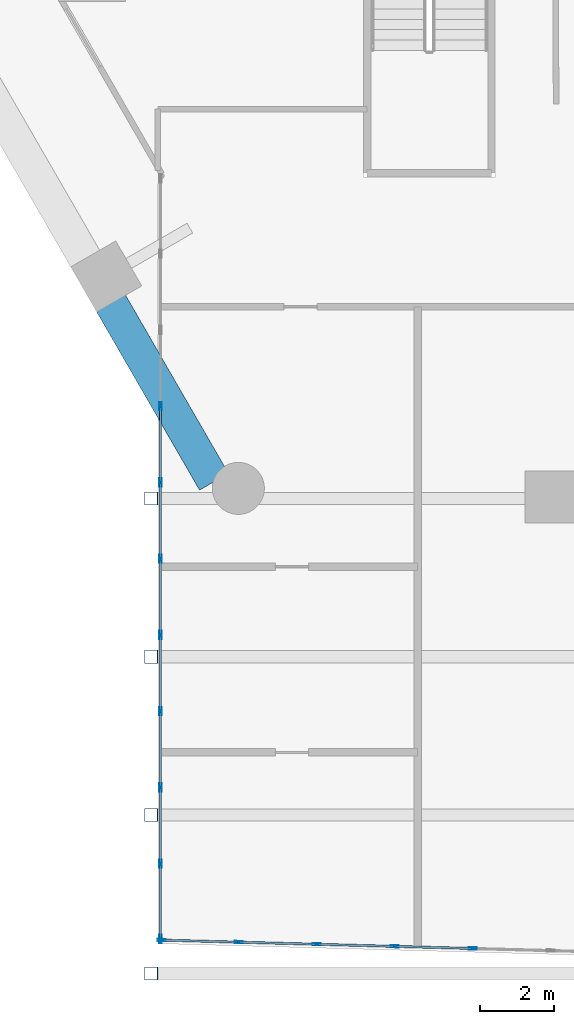
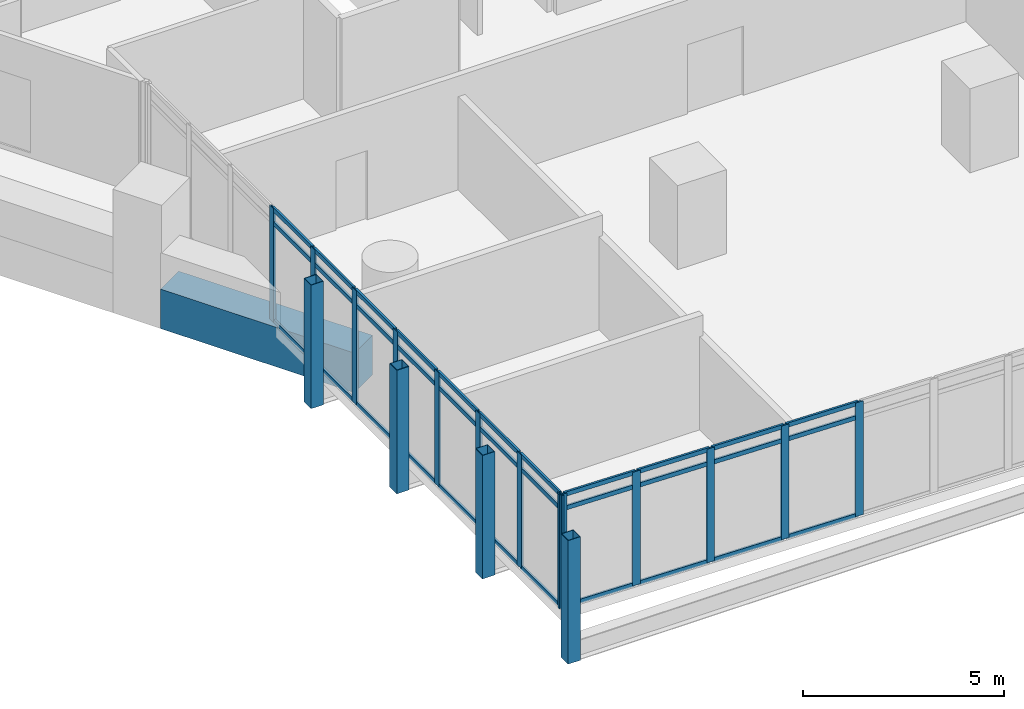
# One storey, part 2 of 28: 50 members, 1 beam, 2 elements without a shape of their own.
"""IFC4 building model written with IfcOpenShell, lengths in metres."""

from ifc_helpers import new_model, si_unit, direction, frame, origin, origin_2d, place, context, subcontext, project, spatial, rectangle, hollow_rectangle, extrude, material, material_profile, profile_set, type_object, element, aggregate, save


model = new_model("IFC4")

# Units and contexts
model_context = context("Model", 3, precision=1e-05, world=origin(), true_north=direction((0.0, 1.0)))
body_context = subcontext(model_context, "Body", "Model", "MODEL_VIEW")
ifc_project = project(units=[si_unit("LENGTHUNIT", "METRE"), si_unit("AREAUNIT", "SQUARE_METRE"), si_unit("VOLUMEUNIT", "CUBIC_METRE"), si_unit("PLANEANGLEUNIT", "RADIAN"), si_unit("MASSUNIT", "GRAM", prefix="KILO")], contexts=[model_context])

# Site, building, storey
site_placement = place(None, origin())
site = spatial("IfcSite", under=ifc_project, at=site_placement, CompositionType="ELEMENT")
building_placement = place(site_placement, origin())
building = spatial("IfcBuilding", under=site, at=building_placement, Name="Ostrander Bayou Hotel Tower", CompositionType="ELEMENT")
storey_placement = place(building_placement, frame((0.0, 0.0, 73.0)))
storey = spatial("IfcBuildingStorey", under=building, at=storey_placement, Name="L18", CompositionType="ELEMENT", Elevation=73.0)

# Curtain wall, members
ifc_material_1 = material(Name="Aluminium and clear glass", Category="aluminium")
curtain_wall_type = type_object("IfcCurtainWallType", Name="CW-BAR glazed wall", PredefinedType="NOTDEFINED", material=ifc_material_1)
curtain_wall_1_placement = place(storey_placement, origin())
curtain_wall_1 = element("IfcCurtainWall", 1, at=curtain_wall_1_placement, inside=storey, type_object=curtain_wall_type, Name="CW-BAR L18:SB1S:E", PredefinedType="NOTDEFINED")
ifc_material_2 = material(Name="Aluminium", Category="aluminium")
ifc_material_profile_1 = material_profile(ifc_material_2, hollow_rectangle(XDim=0.06005859375, YDim=0.219970703125, WallThickness=0.00390625, at=origin_2d()))
ifc_profile_set_1 = profile_set([ifc_material_profile_1], Name="Aluminium")
member_type_1 = type_object("IfcMemberType", Name="CW-BR mullion 60 x 220 mm", PredefinedType="MULLION", material=ifc_profile_set_1)
member_1_placement = place(storey_placement, frame((-14.712158203125, -17.677978515625, 0.0), z_axis=(0.0, 0.0, 1.0), x_axis=(1.0, 0.0, 0.0)))
member_1 = element("IfcMember", 2, at=member_1_placement, type_object=member_type_1, Name="CW-BAR mullion 4", PredefinedType="MULLION", context=body_context, shape_type="SweptSolid", body=[
    extrude(hollow_rectangle(XDim=0.06005859375, YDim=0.219970703125, WallThickness=0.00390625, at=origin_2d()), origin(), (0.0, 0.0, 1.0), 3.449951171875),
])
member_2_placement = place(storey_placement, frame((-14.712158203125, -19.7314453125, 0.0), z_axis=(0.0, 0.0, 1.0), x_axis=(1.0, 0.0, 0.0)))
member_2 = element("IfcMember", 3, at=member_2_placement, type_object=member_type_1, Name="CW-BAR mullion 5", PredefinedType="MULLION", context=body_context, shape_type="SweptSolid", body=[
    extrude(hollow_rectangle(XDim=0.06005859375, YDim=0.219970703125, WallThickness=0.00390625, at=origin_2d()), origin(), (0.0, 0.0, 1.0), 3.449951171875),
])
member_3_placement = place(storey_placement, frame((-14.712158203125, -21.784912109375, 0.0), z_axis=(0.0, 0.0, 1.0), x_axis=(1.0, 0.0, 0.0)))
member_3 = element("IfcMember", 4, at=member_3_placement, type_object=member_type_1, Name="CW-BAR mullion 6", PredefinedType="MULLION", context=body_context, shape_type="SweptSolid", body=[
    extrude(hollow_rectangle(XDim=0.06005859375, YDim=0.219970703125, WallThickness=0.00390625, at=origin_2d()), origin(), (0.0, 0.0, 1.0), 3.449951171875),
])
member_4_placement = place(storey_placement, frame((-14.712158203125, -23.83837890625, 0.0), z_axis=(0.0, 0.0, 1.0), x_axis=(1.0, 0.0, 0.0)))
member_4 = element("IfcMember", 5, at=member_4_placement, type_object=member_type_1, Name="CW-BAR mullion 7", PredefinedType="MULLION", context=body_context, shape_type="SweptSolid", body=[
    extrude(hollow_rectangle(XDim=0.06005859375, YDim=0.219970703125, WallThickness=0.00390625, at=origin_2d()), origin(), (0.0, 0.0, 1.0), 3.449951171875),
])
member_5_placement = place(storey_placement, frame((-14.712158203125, -25.8916015625, 0.0), z_axis=(0.0, 0.0, 1.0), x_axis=(1.0, 0.0, 0.0)))
member_5 = element("IfcMember", 6, at=member_5_placement, type_object=member_type_1, Name="CW-BAR mullion 8", PredefinedType="MULLION", context=body_context, shape_type="SweptSolid", body=[
    extrude(hollow_rectangle(XDim=0.06005859375, YDim=0.219970703125, WallThickness=0.00390625, at=origin_2d()), origin(), (0.0, 0.0, 1.0), 3.449951171875),
])
member_6_placement = place(storey_placement, frame((-14.712158203125, -27.945068359375, 0.0), z_axis=(0.0, 0.0, 1.0), x_axis=(1.0, 0.0, 0.0)))
member_6 = element("IfcMember", 7, at=member_6_placement, type_object=member_type_1, Name="CW-BAR mullion 9", PredefinedType="MULLION", context=body_context, shape_type="SweptSolid", body=[
    extrude(hollow_rectangle(XDim=0.06005859375, YDim=0.219970703125, WallThickness=0.00390625, at=origin_2d()), origin(), (0.0, 0.0, 1.0), 3.449951171875),
])
member_7_placement = place(storey_placement, frame((-14.712158203125, -29.99853515625, 0.0), z_axis=(0.0, 0.0, 1.0), x_axis=(1.0, 0.0, 0.0)))
member_7 = element("IfcMember", 8, at=member_7_placement, type_object=member_type_1, Name="CW-BAR mullion 10", PredefinedType="MULLION", context=body_context, shape_type="SweptSolid", body=[
    extrude(hollow_rectangle(XDim=0.06005859375, YDim=0.219970703125, WallThickness=0.00390625, at=origin_2d()), origin(), (0.0, 0.0, 1.0), 3.449951171875),
])
member_8_placement = place(storey_placement, frame((-14.712158203125, -32.02197265625, 0.0), z_axis=(0.0, 0.0, 1.0), x_axis=(1.0, 0.0, 0.0)))
member_8 = element("IfcMember", 9, at=member_8_placement, type_object=member_type_1, Name="CW-BAR mullion 11", PredefinedType="MULLION", context=body_context, shape_type="SweptSolid", body=[
    extrude(hollow_rectangle(XDim=0.06005859375, YDim=0.219970703125, WallThickness=0.00390625, at=origin_2d()), origin(), (0.0, 0.0, 1.0), 3.449951171875),
])

curtain_wall_2_placement = place(storey_placement, origin())
curtain_wall_2 = element("IfcCurtainWall", 10, at=curtain_wall_2_placement, inside=storey, type_object=curtain_wall_type, Name="CW-BAR L18:SB1S:T", PredefinedType="NOTDEFINED")
member_9_placement = place(storey_placement, frame((-14.68212890625, -32.052734375, 0.0), z_axis=(0.0, 0.0, 1.0), x_axis=(0.027042484848, 0.999634285133, 0.0)))
member_9 = element("IfcMember", 11, at=member_9_placement, type_object=member_type_1, Name="CW-BAR mullion 1", PredefinedType="MULLION", context=body_context, shape_type="SweptSolid", body=[
    extrude(hollow_rectangle(XDim=0.06005859375, YDim=0.219970703125, WallThickness=0.00390625, at=origin_2d()), origin(), (0.0, 0.0, 1.0), 3.449951171875),
])
member_10_placement = place(storey_placement, frame((-12.6103515625, -32.10888671875, 0.0), z_axis=(0.0, 0.0, 1.0), x_axis=(0.027042484848, 0.999634285133, 0.0)))
member_10 = element("IfcMember", 12, at=member_10_placement, type_object=member_type_1, Name="CW-BAR mullion 2", PredefinedType="MULLION", context=body_context, shape_type="SweptSolid", body=[
    extrude(hollow_rectangle(XDim=0.06005859375, YDim=0.219970703125, WallThickness=0.00390625, at=origin_2d()), origin(), (0.0, 0.0, 1.0), 3.449951171875),
])
member_11_placement = place(storey_placement, frame((-10.5087890625, -32.165771484375, 0.0), z_axis=(0.0, 0.0, 1.0), x_axis=(0.027042484848, 0.999634285133, 0.0)))
member_11 = element("IfcMember", 13, at=member_11_placement, type_object=member_type_1, Name="CW-BAR mullion 3", PredefinedType="MULLION", context=body_context, shape_type="SweptSolid", body=[
    extrude(hollow_rectangle(XDim=0.06005859375, YDim=0.219970703125, WallThickness=0.00390625, at=origin_2d()), origin(), (0.0, 0.0, 1.0), 3.449951171875),
])
member_12_placement = place(storey_placement, frame((-8.406982421875, -32.22265625, 0.0), z_axis=(0.0, 0.0, 1.0), x_axis=(0.027042484848, 0.999634285133, 0.0)))
member_12 = element("IfcMember", 14, at=member_12_placement, type_object=member_type_1, Name="CW-BAR mullion 4", PredefinedType="MULLION", context=body_context, shape_type="SweptSolid", body=[
    extrude(hollow_rectangle(XDim=0.06005859375, YDim=0.219970703125, WallThickness=0.00390625, at=origin_2d()), origin(), (0.0, 0.0, 1.0), 3.449951171875),
])
member_13_placement = place(storey_placement, frame((-6.30517578125, -32.279541015625, 0.0), z_axis=(0.0, 0.0, 1.0), x_axis=(0.027042484848, 0.999634285133, 0.0)))
member_13 = element("IfcMember", 15, at=member_13_placement, type_object=member_type_1, Name="CW-BAR mullion 5", PredefinedType="MULLION", context=body_context, shape_type="SweptSolid", body=[
    extrude(hollow_rectangle(XDim=0.06005859375, YDim=0.219970703125, WallThickness=0.00390625, at=origin_2d()), origin(), (0.0, 0.0, 1.0), 3.449951171875),
])

# Member
ifc_material_3 = material(Name="Aluminium", Category="aluminium")
ifc_material_profile_2 = material_profile(ifc_material_3, hollow_rectangle(XDim=0.06005859375, YDim=0.1298828125, WallThickness=0.00390625, at=origin_2d()))
ifc_profile_set_2 = profile_set([ifc_material_profile_2], Name="Aluminium")
member_type_2 = type_object("IfcMemberType", Name="CW-BR transom 60 x 130 mm", PredefinedType="USERDEFINED", material=ifc_profile_set_2)
member_14_placement = place(storey_placement, frame((-14.712158203125, -17.7080078125, 0.030029296875), z_axis=(0.0, -1.0, 0.0), x_axis=(1.0, 0.0, 0.0)))
member_14 = element("IfcMember", 16, at=member_14_placement, type_object=member_type_2, Name="CW-BAR transom 4.1", ObjectType="TRANSOM", PredefinedType="USERDEFINED", context=body_context, shape_type="SweptSolid", body=[
    extrude(hollow_rectangle(XDim=0.06005859375, YDim=0.1298828125, WallThickness=0.00390625, at=origin_2d()), origin(), (0.0, 0.0, 1.0), 1.993408203125),
])

member_15_placement = place(storey_placement, frame((-14.712158203125, -17.7080078125, 3.0), z_axis=(0.0, -1.0, 0.0), x_axis=(1.0, 0.0, 0.0)))
member_15 = element("IfcMember", 17, at=member_15_placement, type_object=member_type_2, Name="CW-BAR transom 4.2", ObjectType="TRANSOM", PredefinedType="USERDEFINED", context=body_context, shape_type="SweptSolid", body=[
    extrude(hollow_rectangle(XDim=0.06005859375, YDim=0.1298828125, WallThickness=0.00390625, at=origin_2d()), origin(), (0.0, 0.0, 1.0), 1.993408203125),
])

member_16_placement = place(storey_placement, frame((-14.712158203125, -17.7080078125, 3.419921875), z_axis=(0.0, -1.0, 0.0), x_axis=(1.0, 0.0, 0.0)))
member_16 = element("IfcMember", 18, at=member_16_placement, type_object=member_type_2, Name="CW-BAR transom 4.3", ObjectType="TRANSOM", PredefinedType="USERDEFINED", context=body_context, shape_type="SweptSolid", body=[
    extrude(hollow_rectangle(XDim=0.06005859375, YDim=0.1298828125, WallThickness=0.00390625, at=origin_2d()), origin(), (0.0, 0.0, 1.0), 1.993408203125),
])

member_17_placement = place(storey_placement, frame((-14.712158203125, -19.761474609375, 0.030029296875), z_axis=(0.0, -1.0, 0.0), x_axis=(1.0, 0.0, 0.0)))
member_17 = element("IfcMember", 19, at=member_17_placement, type_object=member_type_2, Name="CW-BAR transom 5.1", ObjectType="TRANSOM", PredefinedType="USERDEFINED", context=body_context, shape_type="SweptSolid", body=[
    extrude(hollow_rectangle(XDim=0.06005859375, YDim=0.1298828125, WallThickness=0.00390625, at=origin_2d()), origin(), (0.0, 0.0, 1.0), 1.993408203125),
])

member_18_placement = place(storey_placement, frame((-14.712158203125, -19.761474609375, 3.0), z_axis=(0.0, -1.0, 0.0), x_axis=(1.0, 0.0, 0.0)))
member_18 = element("IfcMember", 20, at=member_18_placement, type_object=member_type_2, Name="CW-BAR transom 5.2", ObjectType="TRANSOM", PredefinedType="USERDEFINED", context=body_context, shape_type="SweptSolid", body=[
    extrude(hollow_rectangle(XDim=0.06005859375, YDim=0.1298828125, WallThickness=0.00390625, at=origin_2d()), origin(), (0.0, 0.0, 1.0), 1.993408203125),
])

member_19_placement = place(storey_placement, frame((-14.712158203125, -19.761474609375, 3.419921875), z_axis=(0.0, -1.0, 0.0), x_axis=(1.0, 0.0, 0.0)))
member_19 = element("IfcMember", 21, at=member_19_placement, type_object=member_type_2, Name="CW-BAR transom 5.3", ObjectType="TRANSOM", PredefinedType="USERDEFINED", context=body_context, shape_type="SweptSolid", body=[
    extrude(hollow_rectangle(XDim=0.06005859375, YDim=0.1298828125, WallThickness=0.00390625, at=origin_2d()), origin(), (0.0, 0.0, 1.0), 1.993408203125),
])

member_20_placement = place(storey_placement, frame((-14.712158203125, -21.81494140625, 0.030029296875), z_axis=(0.0, -1.0, 0.0), x_axis=(1.0, 0.0, 0.0)))
member_20 = element("IfcMember", 22, at=member_20_placement, type_object=member_type_2, Name="CW-BAR transom 6.1", ObjectType="TRANSOM", PredefinedType="USERDEFINED", context=body_context, shape_type="SweptSolid", body=[
    extrude(hollow_rectangle(XDim=0.06005859375, YDim=0.1298828125, WallThickness=0.00390625, at=origin_2d()), origin(), (0.0, 0.0, 1.0), 1.993408203125),
])

member_21_placement = place(storey_placement, frame((-14.712158203125, -21.81494140625, 3.0), z_axis=(0.0, -1.0, 0.0), x_axis=(1.0, 0.0, 0.0)))
member_21 = element("IfcMember", 23, at=member_21_placement, type_object=member_type_2, Name="CW-BAR transom 6.2", ObjectType="TRANSOM", PredefinedType="USERDEFINED", context=body_context, shape_type="SweptSolid", body=[
    extrude(hollow_rectangle(XDim=0.06005859375, YDim=0.1298828125, WallThickness=0.00390625, at=origin_2d()), origin(), (0.0, 0.0, 1.0), 1.993408203125),
])

member_22_placement = place(storey_placement, frame((-14.712158203125, -21.81494140625, 3.419921875), z_axis=(0.0, -1.0, 0.0), x_axis=(1.0, 0.0, 0.0)))
member_22 = element("IfcMember", 24, at=member_22_placement, type_object=member_type_2, Name="CW-BAR transom 6.3", ObjectType="TRANSOM", PredefinedType="USERDEFINED", context=body_context, shape_type="SweptSolid", body=[
    extrude(hollow_rectangle(XDim=0.06005859375, YDim=0.1298828125, WallThickness=0.00390625, at=origin_2d()), origin(), (0.0, 0.0, 1.0), 1.993408203125),
])

member_23_placement = place(storey_placement, frame((-14.712158203125, -23.8681640625, 0.030029296875), z_axis=(0.0, -1.0, 0.0), x_axis=(1.0, 0.0, 0.0)))
member_23 = element("IfcMember", 25, at=member_23_placement, type_object=member_type_2, Name="CW-BAR transom 7.1", ObjectType="TRANSOM", PredefinedType="USERDEFINED", context=body_context, shape_type="SweptSolid", body=[
    extrude(hollow_rectangle(XDim=0.06005859375, YDim=0.1298828125, WallThickness=0.00390625, at=origin_2d()), origin(), (0.0, 0.0, 1.0), 1.99365234375),
])

member_24_placement = place(storey_placement, frame((-14.712158203125, -23.8681640625, 3.0), z_axis=(0.0, -1.0, 0.0), x_axis=(1.0, 0.0, 0.0)))
member_24 = element("IfcMember", 26, at=member_24_placement, type_object=member_type_2, Name="CW-BAR transom 7.2", ObjectType="TRANSOM", PredefinedType="USERDEFINED", context=body_context, shape_type="SweptSolid", body=[
    extrude(hollow_rectangle(XDim=0.06005859375, YDim=0.1298828125, WallThickness=0.00390625, at=origin_2d()), origin(), (0.0, 0.0, 1.0), 1.99365234375),
])

member_25_placement = place(storey_placement, frame((-14.712158203125, -23.8681640625, 3.419921875), z_axis=(0.0, -1.0, 0.0), x_axis=(1.0, 0.0, 0.0)))
member_25 = element("IfcMember", 27, at=member_25_placement, type_object=member_type_2, Name="CW-BAR transom 7.3", ObjectType="TRANSOM", PredefinedType="USERDEFINED", context=body_context, shape_type="SweptSolid", body=[
    extrude(hollow_rectangle(XDim=0.06005859375, YDim=0.1298828125, WallThickness=0.00390625, at=origin_2d()), origin(), (0.0, 0.0, 1.0), 1.99365234375),
])

member_26_placement = place(storey_placement, frame((-14.712158203125, -25.921630859375, 0.030029296875), z_axis=(0.0, -1.0, 0.0), x_axis=(1.0, 0.0, 0.0)))
member_26 = element("IfcMember", 28, at=member_26_placement, type_object=member_type_2, Name="CW-BAR transom 8.1", ObjectType="TRANSOM", PredefinedType="USERDEFINED", context=body_context, shape_type="SweptSolid", body=[
    extrude(hollow_rectangle(XDim=0.06005859375, YDim=0.1298828125, WallThickness=0.00390625, at=origin_2d()), origin(), (0.0, 0.0, 1.0), 1.993408203125),
])

member_27_placement = place(storey_placement, frame((-14.712158203125, -25.921630859375, 3.0), z_axis=(0.0, -1.0, 0.0), x_axis=(1.0, 0.0, 0.0)))
member_27 = element("IfcMember", 29, at=member_27_placement, type_object=member_type_2, Name="CW-BAR transom 8.2", ObjectType="TRANSOM", PredefinedType="USERDEFINED", context=body_context, shape_type="SweptSolid", body=[
    extrude(hollow_rectangle(XDim=0.06005859375, YDim=0.1298828125, WallThickness=0.00390625, at=origin_2d()), origin(), (0.0, 0.0, 1.0), 1.993408203125),
])

member_28_placement = place(storey_placement, frame((-14.712158203125, -25.921630859375, 3.419921875), z_axis=(0.0, -1.0, 0.0), x_axis=(1.0, 0.0, 0.0)))
member_28 = element("IfcMember", 30, at=member_28_placement, type_object=member_type_2, Name="CW-BAR transom 8.3", ObjectType="TRANSOM", PredefinedType="USERDEFINED", context=body_context, shape_type="SweptSolid", body=[
    extrude(hollow_rectangle(XDim=0.06005859375, YDim=0.1298828125, WallThickness=0.00390625, at=origin_2d()), origin(), (0.0, 0.0, 1.0), 1.993408203125),
])

member_29_placement = place(storey_placement, frame((-14.712158203125, -27.97509765625, 0.030029296875), z_axis=(0.0, -1.0, 0.0), x_axis=(1.0, 0.0, 0.0)))
member_29 = element("IfcMember", 31, at=member_29_placement, type_object=member_type_2, Name="CW-BAR transom 9.1", ObjectType="TRANSOM", PredefinedType="USERDEFINED", context=body_context, shape_type="SweptSolid", body=[
    extrude(hollow_rectangle(XDim=0.06005859375, YDim=0.1298828125, WallThickness=0.00390625, at=origin_2d()), origin(), (0.0, 0.0, 1.0), 1.993408203125),
])

member_30_placement = place(storey_placement, frame((-14.712158203125, -27.97509765625, 3.0), z_axis=(0.0, -1.0, 0.0), x_axis=(1.0, 0.0, 0.0)))
member_30 = element("IfcMember", 32, at=member_30_placement, type_object=member_type_2, Name="CW-BAR transom 9.2", ObjectType="TRANSOM", PredefinedType="USERDEFINED", context=body_context, shape_type="SweptSolid", body=[
    extrude(hollow_rectangle(XDim=0.06005859375, YDim=0.1298828125, WallThickness=0.00390625, at=origin_2d()), origin(), (0.0, 0.0, 1.0), 1.993408203125),
])

member_31_placement = place(storey_placement, frame((-14.712158203125, -27.97509765625, 3.419921875), z_axis=(0.0, -1.0, 0.0), x_axis=(1.0, 0.0, 0.0)))
member_31 = element("IfcMember", 33, at=member_31_placement, type_object=member_type_2, Name="CW-BAR transom 9.3", ObjectType="TRANSOM", PredefinedType="USERDEFINED", context=body_context, shape_type="SweptSolid", body=[
    extrude(hollow_rectangle(XDim=0.06005859375, YDim=0.1298828125, WallThickness=0.00390625, at=origin_2d()), origin(), (0.0, 0.0, 1.0), 1.993408203125),
])

member_32_placement = place(storey_placement, frame((-14.712158203125, -30.028564453125, 0.030029296875), z_axis=(0.0, -1.0, 0.0), x_axis=(1.0, 0.0, 0.0)))
member_32 = element("IfcMember", 34, at=member_32_placement, type_object=member_type_2, Name="CW-BAR transom 10.1", ObjectType="TRANSOM", PredefinedType="USERDEFINED", context=body_context, shape_type="SweptSolid", body=[
    extrude(hollow_rectangle(XDim=0.06005859375, YDim=0.1298828125, WallThickness=0.00390625, at=origin_2d()), origin(), (0.0, 0.0, 1.0), 1.96337890625),
])

member_33_placement = place(storey_placement, frame((-14.712158203125, -30.028564453125, 3.0), z_axis=(0.0, -1.0, 0.0), x_axis=(1.0, 0.0, 0.0)))
member_33 = element("IfcMember", 35, at=member_33_placement, type_object=member_type_2, Name="CW-BAR transom 10.2", ObjectType="TRANSOM", PredefinedType="USERDEFINED", context=body_context, shape_type="SweptSolid", body=[
    extrude(hollow_rectangle(XDim=0.06005859375, YDim=0.1298828125, WallThickness=0.00390625, at=origin_2d()), origin(), (0.0, 0.0, 1.0), 1.96337890625),
])

member_34_placement = place(storey_placement, frame((-14.712158203125, -30.028564453125, 3.419921875), z_axis=(0.0, -1.0, 0.0), x_axis=(1.0, 0.0, 0.0)))
member_34 = element("IfcMember", 36, at=member_34_placement, type_object=member_type_2, Name="CW-BAR transom 10.3", ObjectType="TRANSOM", PredefinedType="USERDEFINED", context=body_context, shape_type="SweptSolid", body=[
    extrude(hollow_rectangle(XDim=0.06005859375, YDim=0.1298828125, WallThickness=0.00390625, at=origin_2d()), origin(), (0.0, 0.0, 1.0), 1.96337890625),
])

aggregate(curtain_wall_1, [member_1, member_2, member_3, member_4, member_5, member_6, member_7, member_8, member_14, member_15, member_16, member_17, member_18, member_19, member_20, member_21, member_22, member_23, member_24, member_25, member_26, member_27, member_28, member_29, member_30, member_31, member_32, member_33, member_34])

member_35_placement = place(storey_placement, frame((-14.65234375, -32.0537109375, 0.030029296875), z_axis=(0.999634083934, -0.027049921213, 0.0), x_axis=(0.027049921213, 0.999634083934, 0.0)))
member_35 = element("IfcMember", 37, at=member_35_placement, type_object=member_type_2, Name="CW-BAR transom 1.1", ObjectType="TRANSOM", PredefinedType="USERDEFINED", context=body_context, shape_type="SweptSolid", body=[
    extrude(hollow_rectangle(XDim=0.06005859375, YDim=0.1298828125, WallThickness=0.00390625, at=origin_2d()), origin(), (0.0, 0.0, 1.0), 2.0126953125),
])

member_36_placement = place(storey_placement, frame((-14.65234375, -32.0537109375, 3.0), z_axis=(0.999634083934, -0.027049921213, 0.0), x_axis=(0.027049921213, 0.999634083934, 0.0)))
member_36 = element("IfcMember", 38, at=member_36_placement, type_object=member_type_2, Name="CW-BAR transom 1.2", ObjectType="TRANSOM", PredefinedType="USERDEFINED", context=body_context, shape_type="SweptSolid", body=[
    extrude(hollow_rectangle(XDim=0.06005859375, YDim=0.1298828125, WallThickness=0.00390625, at=origin_2d()), origin(), (0.0, 0.0, 1.0), 2.0126953125),
])

member_37_placement = place(storey_placement, frame((-14.65234375, -32.0537109375, 3.419921875), z_axis=(0.999634083934, -0.027049921213, 0.0), x_axis=(0.027049921213, 0.999634083934, 0.0)))
member_37 = element("IfcMember", 39, at=member_37_placement, type_object=member_type_2, Name="CW-BAR transom 1.3", ObjectType="TRANSOM", PredefinedType="USERDEFINED", context=body_context, shape_type="SweptSolid", body=[
    extrude(hollow_rectangle(XDim=0.06005859375, YDim=0.1298828125, WallThickness=0.00390625, at=origin_2d()), origin(), (0.0, 0.0, 1.0), 2.0126953125),
])

member_38_placement = place(storey_placement, frame((-12.58056640625, -32.109619140625, 0.030029296875), z_axis=(0.999635057116, -0.027013933147, 0.0), x_axis=(0.027013933147, 0.999635057116, 0.0)))
member_38 = element("IfcMember", 40, at=member_38_placement, type_object=member_type_2, Name="CW-BAR transom 2.1", ObjectType="TRANSOM", PredefinedType="USERDEFINED", context=body_context, shape_type="SweptSolid", body=[
    extrude(hollow_rectangle(XDim=0.06005859375, YDim=0.1298828125, WallThickness=0.00390625, at=origin_2d()), origin(), (0.0, 0.0, 1.0), 2.04248046875),
])

member_39_placement = place(storey_placement, frame((-12.58056640625, -32.109619140625, 3.0), z_axis=(0.999635057116, -0.027013933147, 0.0), x_axis=(0.027013933147, 0.999635057116, 0.0)))
member_39 = element("IfcMember", 41, at=member_39_placement, type_object=member_type_2, Name="CW-BAR transom 2.2", ObjectType="TRANSOM", PredefinedType="USERDEFINED", context=body_context, shape_type="SweptSolid", body=[
    extrude(hollow_rectangle(XDim=0.06005859375, YDim=0.1298828125, WallThickness=0.00390625, at=origin_2d()), origin(), (0.0, 0.0, 1.0), 2.04248046875),
])

member_40_placement = place(storey_placement, frame((-12.58056640625, -32.109619140625, 3.419921875), z_axis=(0.999635057116, -0.027013933147, 0.0), x_axis=(0.027013933147, 0.999635057116, 0.0)))
member_40 = element("IfcMember", 42, at=member_40_placement, type_object=member_type_2, Name="CW-BAR transom 2.3", ObjectType="TRANSOM", PredefinedType="USERDEFINED", context=body_context, shape_type="SweptSolid", body=[
    extrude(hollow_rectangle(XDim=0.06005859375, YDim=0.1298828125, WallThickness=0.00390625, at=origin_2d()), origin(), (0.0, 0.0, 1.0), 2.04248046875),
])

member_41_placement = place(storey_placement, frame((-10.478759765625, -32.16650390625, 0.030029296875), z_axis=(0.999635057116, -0.027013933147, 0.0), x_axis=(0.027013933147, 0.999635057116, 0.0)))
member_41 = element("IfcMember", 43, at=member_41_placement, type_object=member_type_2, Name="CW-BAR transom 3.1", ObjectType="TRANSOM", PredefinedType="USERDEFINED", context=body_context, shape_type="SweptSolid", body=[
    extrude(hollow_rectangle(XDim=0.06005859375, YDim=0.1298828125, WallThickness=0.00390625, at=origin_2d()), origin(), (0.0, 0.0, 1.0), 2.04248046875),
])

member_42_placement = place(storey_placement, frame((-10.478759765625, -32.16650390625, 3.0), z_axis=(0.999635057116, -0.027013933147, 0.0), x_axis=(0.027013933147, 0.999635057116, 0.0)))
member_42 = element("IfcMember", 44, at=member_42_placement, type_object=member_type_2, Name="CW-BAR transom 3.2", ObjectType="TRANSOM", PredefinedType="USERDEFINED", context=body_context, shape_type="SweptSolid", body=[
    extrude(hollow_rectangle(XDim=0.06005859375, YDim=0.1298828125, WallThickness=0.00390625, at=origin_2d()), origin(), (0.0, 0.0, 1.0), 2.04248046875),
])

member_43_placement = place(storey_placement, frame((-10.478759765625, -32.16650390625, 3.419921875), z_axis=(0.999635057116, -0.027013933147, 0.0), x_axis=(0.027013933147, 0.999635057116, 0.0)))
member_43 = element("IfcMember", 45, at=member_43_placement, type_object=member_type_2, Name="CW-BAR transom 3.3", ObjectType="TRANSOM", PredefinedType="USERDEFINED", context=body_context, shape_type="SweptSolid", body=[
    extrude(hollow_rectangle(XDim=0.06005859375, YDim=0.1298828125, WallThickness=0.00390625, at=origin_2d()), origin(), (0.0, 0.0, 1.0), 2.04248046875),
])

member_44_placement = place(storey_placement, frame((-8.376953125, -32.223388671875, 0.030029296875), z_axis=(0.999635057116, -0.027013933147, 0.0), x_axis=(0.027013933147, 0.999635057116, 0.0)))
member_44 = element("IfcMember", 46, at=member_44_placement, type_object=member_type_2, Name="CW-BAR transom 4.1", ObjectType="TRANSOM", PredefinedType="USERDEFINED", context=body_context, shape_type="SweptSolid", body=[
    extrude(hollow_rectangle(XDim=0.06005859375, YDim=0.1298828125, WallThickness=0.00390625, at=origin_2d()), origin(), (0.0, 0.0, 1.0), 2.04248046875),
])

member_45_placement = place(storey_placement, frame((-8.376953125, -32.223388671875, 3.0), z_axis=(0.999635057116, -0.027013933147, 0.0), x_axis=(0.027013933147, 0.999635057116, 0.0)))
member_45 = element("IfcMember", 47, at=member_45_placement, type_object=member_type_2, Name="CW-BAR transom 4.2", ObjectType="TRANSOM", PredefinedType="USERDEFINED", context=body_context, shape_type="SweptSolid", body=[
    extrude(hollow_rectangle(XDim=0.06005859375, YDim=0.1298828125, WallThickness=0.00390625, at=origin_2d()), origin(), (0.0, 0.0, 1.0), 2.04248046875),
])

member_46_placement = place(storey_placement, frame((-8.376953125, -32.223388671875, 3.419921875), z_axis=(0.999635057116, -0.027013933147, 0.0), x_axis=(0.027013933147, 0.999635057116, 0.0)))
member_46 = element("IfcMember", 48, at=member_46_placement, type_object=member_type_2, Name="CW-BAR transom 4.3", ObjectType="TRANSOM", PredefinedType="USERDEFINED", context=body_context, shape_type="SweptSolid", body=[
    extrude(hollow_rectangle(XDim=0.06005859375, YDim=0.1298828125, WallThickness=0.00390625, at=origin_2d()), origin(), (0.0, 0.0, 1.0), 2.04248046875),
])

aggregate(curtain_wall_2, [member_9, member_10, member_11, member_12, member_13, member_35, member_36, member_37, member_38, member_39, member_40, member_41, member_42, member_43, member_44, member_45, member_46])

# Beam
ifc_material_4 = material(Name="Concrete f'c 70 MPa", Category="concrete")
ifc_material_profile_3 = material_profile(ifc_material_4, rectangle(XDim=0.89990234375, YDim=1.199951171875, at=origin_2d()))
ifc_profile_set_3 = profile_set([ifc_material_profile_3], Name="Concrete f'c 70 MPa")
beam_type = type_object("IfcBeamType", Name="SP1 spandrel beam 900 x 1200 mm f'c 70 MPa", PredefinedType="SPANDREL", material=ifc_profile_set_3)
beam_placement = place(storey_placement, frame((-16.056884765625, -14.888671875, -0.60009765625), z_axis=(0.499976681983, -0.866038866029, 0.0), x_axis=(0.866038866029, 0.499976681983, 0.0)))
element("IfcBeam", 49, at=beam_placement, inside=storey, type_object=beam_type, Name="SP1 L18 SW-3", PredefinedType="SPANDREL", context=body_context, shape_type="SweptSolid", body=[
    extrude(rectangle(XDim=0.89990234375, YDim=1.199951171875, at=origin_2d()), origin(), (0.0, 0.0, 1.0), 5.569580078125),
])

# Members
ifc_material_5 = material(Name="Steel ASTM A500 Gr C", Category="steel")
ifc_material_profile_4 = material_profile(ifc_material_5, hollow_rectangle(XDim=0.355712890625, YDim=0.355712890625, WallThickness=0.0146484375, at=origin_2d()))
ifc_profile_set_4 = profile_set([ifc_material_profile_4], Name="Steel ASTM A500 Gr C")
member_type_3 = type_object("IfcMemberType", Name="TH1 bar hanger HSS14x14x5/8", PredefinedType="POST", material=ifc_profile_set_4)
for number, where, z_axis, x_axis, name in (
    (50, (-14.965087890625, -20.162841796875, -0.921875), (0.0, 0.0, 1.0), (1.0, 0.0, 0.0), "TH1 SB1SA H1-3"),
    (51, (-14.965087890625, -24.42529296875, -0.921875), (0.0, 0.0, 1.0), (1.0, 0.0, 0.0), "TH1 SB1SA H2-3"),
    (52, (-14.965087890625, -28.6875, -0.921875), (0.0, 0.0, 1.0), (1.0, 0.0, 0.0), "TH1 SB1SA H3-3"),
    (53, (-14.965087890625, -32.949951171875, -0.921875), (0.0, 0.0, 1.0), (1.0, 0.0, 0.0), "TH1 SB1SA H4-3"),
):
    element("IfcMember", number, at=place(storey_placement, frame(where, z_axis=z_axis, x_axis=x_axis)), inside=storey, type_object=member_type_3, Name=name, PredefinedType="POST", context=body_context, shape_type="SweptSolid", body=[
        extrude(hollow_rectangle(XDim=0.355712890625, YDim=0.355712890625, WallThickness=0.0146484375, at=origin_2d()), origin(), (0.0, 0.0, 1.0), 3.75),
    ])

save(model, "model.ifc")
